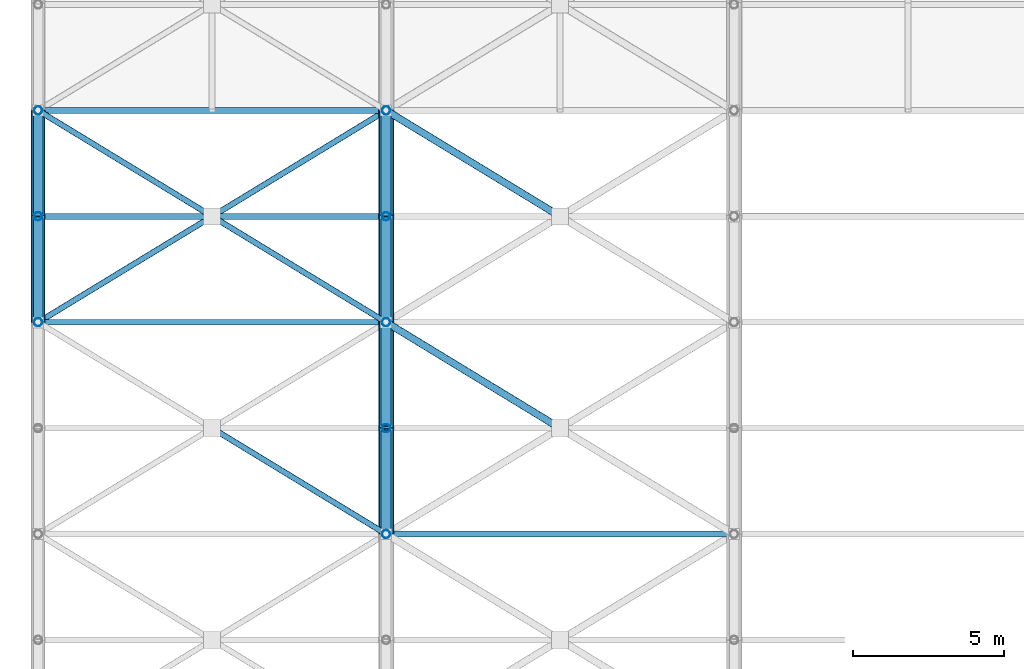
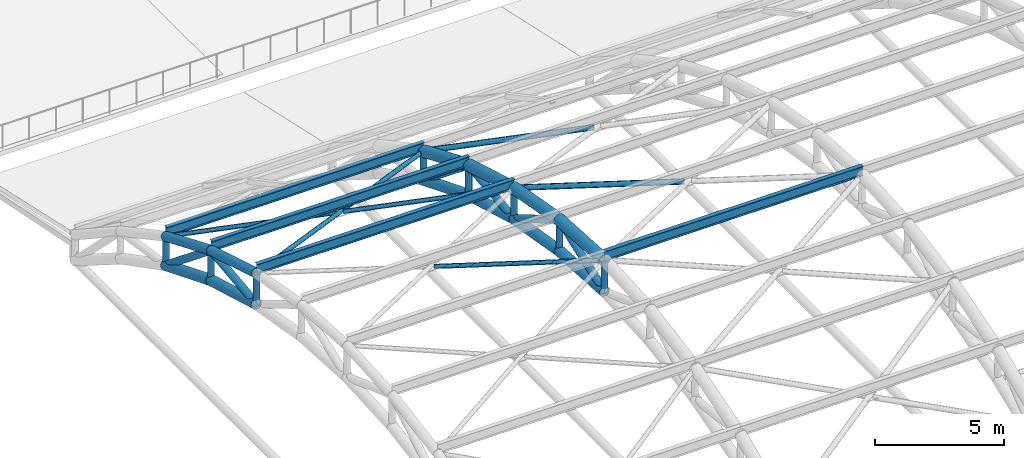
# One storey, part 16 of 154: 36 members.
"""IFC4 building model written with IfcOpenShell, lengths in metres."""

from ifc_helpers import new_model, si_unit, direction, frame, origin, origin_2d, place, context, subcontext, project, spatial, hollow_circle, i_section, extrude, material, material_profile, profile_set, type_object, element, save


model = new_model("IFC4")

# Units and contexts
model_context = context("Model", 3, precision=1e-05, world=origin(), true_north=direction((0.0, 1.0)))
body_context = subcontext(model_context, "Body", "Model", "MODEL_VIEW")
ifc_project = project(units=[si_unit("LENGTHUNIT", "METRE"), si_unit("AREAUNIT", "SQUARE_METRE"), si_unit("VOLUMEUNIT", "CUBIC_METRE"), si_unit("PLANEANGLEUNIT", "RADIAN"), si_unit("MASSUNIT", "GRAM", prefix="KILO")], contexts=[model_context])

# Site, building, storey
site_placement = place(None, origin())
site = spatial("IfcSite", under=ifc_project, at=site_placement, CompositionType="ELEMENT")
building_placement = place(site_placement, origin())
building = spatial("IfcBuilding", under=site, at=building_placement, Name="Ologun Quay Terminus", CompositionType="ELEMENT")
storey_placement = place(building_placement, frame((0.0, 0.0, 13.800048828125)))
storey = spatial("IfcBuildingStorey", under=building, at=storey_placement, Name="L03", CompositionType="ELEMENT", Elevation=13.800048828125)

# Members
ifc_material_1 = material(Name="Steel S355", Category="steel")
ifc_material_profile_1 = material_profile(ifc_material_1, hollow_circle(Radius=0.136474609375, WallThickness=0.010009765625, at=origin_2d()), Name="CHS 273x10")
ifc_profile_set_1 = profile_set([ifc_material_profile_1], Name="Steel S355")
member_type_1 = type_object("IfcMemberType", Name="Arch Truss Vertical Post CHS273", PredefinedType="STRUT", material=ifc_profile_set_1)
member_1_placement = place(storey_placement, frame((0.0, 64.0, 6.435546875), z_axis=(0.0, 0.0, 1.0), x_axis=(1.0, 0.0, 0.0)))
element("IfcMember", 1, at=member_1_placement, inside=storey, type_object=member_type_1, Name="AW2 Arch Web Post 1-N8", PredefinedType="STRUT", context=body_context, shape_type="SweptSolid", body=[
    extrude(hollow_circle(Radius=0.136474609375, WallThickness=0.010009765625, at=origin_2d()), origin(), (0.0, 0.0, 1.0), 1.44873046875),
])
member_2_placement = place(storey_placement, frame((0.0, 67.5, 5.429931640625), z_axis=(0.0, 0.0, 1.0), x_axis=(1.0, 0.0, 0.0)))
element("IfcMember", 2, at=member_2_placement, inside=storey, type_object=member_type_1, Name="AW2 Arch Web Post 1-N9", PredefinedType="STRUT", context=body_context, shape_type="SweptSolid", body=[
    extrude(hollow_circle(Radius=0.136474609375, WallThickness=0.010009765625, at=origin_2d()), origin(), (0.0, 0.0, 1.0), 1.409912109375),
])
member_3_placement = place(storey_placement, frame((0.0, 71.0, 4.022216796875), z_axis=(0.0, 0.0, 1.0), x_axis=(1.0, 0.0, 0.0)))
element("IfcMember", 3, at=member_3_placement, inside=storey, type_object=member_type_1, Name="AW2 Arch Web Post 1-N10", PredefinedType="STRUT", context=body_context, shape_type="SweptSolid", body=[
    extrude(hollow_circle(Radius=0.136474609375, WallThickness=0.010009765625, at=origin_2d()), origin(), (0.0, 0.0, 1.0), 1.35546875),
])
member_4_placement = place(storey_placement, frame((11.5, 57.0, 7.239990234375), z_axis=(0.0, 0.0, 1.0), x_axis=(1.0, 0.0, 0.0)))
element("IfcMember", 4, at=member_4_placement, inside=storey, type_object=member_type_1, Name="AW2 Arch Web Post 2-N6", PredefinedType="STRUT", context=body_context, shape_type="SweptSolid", body=[
    extrude(hollow_circle(Radius=0.136474609375, WallThickness=0.010009765625, at=origin_2d()), origin(), (0.0, 0.0, 1.0), 1.47998046875),
])
member_5_placement = place(storey_placement, frame((11.5, 60.5, 7.038818359375), z_axis=(0.0, 0.0, 1.0), x_axis=(1.0, 0.0, 0.0)))
element("IfcMember", 5, at=member_5_placement, inside=storey, type_object=member_type_1, Name="AW2 Arch Web Post 2-N7", PredefinedType="STRUT", context=body_context, shape_type="SweptSolid", body=[
    extrude(hollow_circle(Radius=0.136474609375, WallThickness=0.010009765625, at=origin_2d()), origin(), (0.0, 0.0, 1.0), 1.47216796875),
])
member_6_placement = place(storey_placement, frame((11.5, 64.0, 6.435546875), z_axis=(0.0, 0.0, 1.0), x_axis=(1.0, 0.0, 0.0)))
element("IfcMember", 6, at=member_6_placement, inside=storey, type_object=member_type_1, Name="AW2 Arch Web Post 2-N8", PredefinedType="STRUT", context=body_context, shape_type="SweptSolid", body=[
    extrude(hollow_circle(Radius=0.136474609375, WallThickness=0.010009765625, at=origin_2d()), origin(), (0.0, 0.0, 1.0), 1.44873046875),
])
member_7_placement = place(storey_placement, frame((11.5, 67.5, 5.429931640625), z_axis=(0.0, 0.0, 1.0), x_axis=(1.0, 0.0, 0.0)))
element("IfcMember", 7, at=member_7_placement, inside=storey, type_object=member_type_1, Name="AW2 Arch Web Post 2-N9", PredefinedType="STRUT", context=body_context, shape_type="SweptSolid", body=[
    extrude(hollow_circle(Radius=0.136474609375, WallThickness=0.010009765625, at=origin_2d()), origin(), (0.0, 0.0, 1.0), 1.409912109375),
])
member_8_placement = place(storey_placement, frame((11.5, 71.0, 4.022216796875), z_axis=(0.0, 0.0, 1.0), x_axis=(1.0, 0.0, 0.0)))
element("IfcMember", 8, at=member_8_placement, inside=storey, type_object=member_type_1, Name="AW2 Arch Web Post 2-N10", PredefinedType="STRUT", context=body_context, shape_type="SweptSolid", body=[
    extrude(hollow_circle(Radius=0.136474609375, WallThickness=0.010009765625, at=origin_2d()), origin(), (0.0, 0.0, 1.0), 1.35546875),
])
ifc_material_2 = material(Name="Steel S355", Category="steel")
ifc_material_profile_2 = material_profile(ifc_material_2, hollow_circle(Radius=0.161865234375, WallThickness=0.010009765625, at=origin_2d()), Name="CHS 323.9x10")
ifc_profile_set_2 = profile_set([ifc_material_profile_2], Name="Steel S355")
member_type_2 = type_object("IfcMemberType", Name="Arch Truss Web Diagonal CHS323", PredefinedType="BRACE", material=ifc_profile_set_2)
member_9_placement = place(storey_placement, frame((0.0, 64.0, 6.435546875), z_axis=(0.0, 0.993394361, 0.114750353084), x_axis=(-1.0, 0.0, 0.0)))
element("IfcMember", 9, at=member_9_placement, inside=storey, type_object=member_type_2, Name="AW1 Arch Web Diagonal 1-P9", PredefinedType="BRACE", context=body_context, shape_type="SweptSolid", body=[
    extrude(hollow_circle(Radius=0.161865234375, WallThickness=0.010009765625, at=origin_2d()), origin(), (0.0, 0.0, 1.0), 3.523193359375),
])
member_10_placement = place(storey_placement, frame((0.0, 67.5, 6.83984375), z_axis=(0.0, 0.77895148125, -0.627084196785), x_axis=(-1.0, 0.0, 0.0)))
element("IfcMember", 10, at=member_10_placement, inside=storey, type_object=member_type_2, Name="AW1 Arch Web Diagonal 1-P10", PredefinedType="BRACE", context=body_context, shape_type="SweptSolid", body=[
    extrude(hollow_circle(Radius=0.161865234375, WallThickness=0.010009765625, at=origin_2d()), origin(), (0.0, 0.0, 1.0), 4.4931640625),
])
member_11_placement = place(storey_placement, frame((11.5, 57.0, 7.239990234375), z_axis=(0.0, 0.939942650142, 0.34133241048), x_axis=(-1.0, 0.0, 0.0)))
element("IfcMember", 11, at=member_11_placement, inside=storey, type_object=member_type_2, Name="AW1 Arch Web Diagonal 2-P7", PredefinedType="BRACE", context=body_context, shape_type="SweptSolid", body=[
    extrude(hollow_circle(Radius=0.161865234375, WallThickness=0.010009765625, at=origin_2d()), origin(), (0.0, 0.0, 1.0), 3.7236328125),
])
member_12_placement = place(storey_placement, frame((11.5, 60.5, 8.510986328125), z_axis=(0.0, 0.860144332958, -0.510050709715), x_axis=(-1.0, 0.0, 0.0)))
element("IfcMember", 12, at=member_12_placement, inside=storey, type_object=member_type_2, Name="AW1 Arch Web Diagonal 2-P8", PredefinedType="BRACE", context=body_context, shape_type="SweptSolid", body=[
    extrude(hollow_circle(Radius=0.161865234375, WallThickness=0.010009765625, at=origin_2d()), origin(), (0.0, 0.0, 1.0), 4.069091796875),
])
member_13_placement = place(storey_placement, frame((11.5, 64.0, 6.435546875), z_axis=(0.0, 0.993394361, 0.114750353084), x_axis=(-1.0, 0.0, 0.0)))
element("IfcMember", 13, at=member_13_placement, inside=storey, type_object=member_type_2, Name="AW1 Arch Web Diagonal 2-P9", PredefinedType="BRACE", context=body_context, shape_type="SweptSolid", body=[
    extrude(hollow_circle(Radius=0.161865234375, WallThickness=0.010009765625, at=origin_2d()), origin(), (0.0, 0.0, 1.0), 3.523193359375),
])
member_14_placement = place(storey_placement, frame((11.5, 67.5, 6.83984375), z_axis=(0.0, 0.77895148125, -0.627084196785), x_axis=(-1.0, 0.0, 0.0)))
element("IfcMember", 14, at=member_14_placement, inside=storey, type_object=member_type_2, Name="AW1 Arch Web Diagonal 2-P10", PredefinedType="BRACE", context=body_context, shape_type="SweptSolid", body=[
    extrude(hollow_circle(Radius=0.161865234375, WallThickness=0.010009765625, at=origin_2d()), origin(), (0.0, 0.0, 1.0), 4.4931640625),
])
ifc_material_3 = material(Name="Steel S355", Category="steel")
ifc_material_profile_3 = material_profile(ifc_material_3, hollow_circle(Radius=0.203125, WallThickness=0.012451171875, at=origin_2d()), Name="CHS 406.4x12.5")
ifc_profile_set_3 = profile_set([ifc_material_profile_3], Name="Steel S355")
member_type_3 = type_object("IfcMemberType", Name="Gable End Arch Chord CHS406", PredefinedType="CHORD", material=ifc_profile_set_3)
member_15_placement = place(storey_placement, frame((0.0, 64.0, 7.88427734375), z_axis=(0.0, 0.958244712677, -0.285949419701), x_axis=(-1.0, 0.0, 0.0)))
element("IfcMember", 15, at=member_15_placement, inside=storey, type_object=member_type_3, Name="Arch Top Chord 1-P9", PredefinedType="CHORD", context=body_context, shape_type="SweptSolid", body=[
    extrude(hollow_circle(Radius=0.203125, WallThickness=0.012451171875, at=origin_2d()), origin(), (0.0, 0.0, 1.0), 3.652587890625),
])
member_16_placement = place(storey_placement, frame((0.0, 67.5, 6.83984375), z_axis=(0.0, 0.922718523726, -0.385474416755), x_axis=(-1.0, 0.0, 0.0)))
element("IfcMember", 16, at=member_16_placement, inside=storey, type_object=member_type_3, Name="Arch Top Chord 1-P10", PredefinedType="CHORD", context=body_context, shape_type="SweptSolid", body=[
    extrude(hollow_circle(Radius=0.203125, WallThickness=0.012451171875, at=origin_2d()), origin(), (0.0, 0.0, 1.0), 3.793212890625),
])
ifc_material_4 = material(Name="Steel S355", Category="steel")
ifc_material_profile_4 = material_profile(ifc_material_4, hollow_circle(Radius=0.096923828125, WallThickness=0.00634765625, at=origin_2d()), Name="CHS 193.7x6.3")
ifc_profile_set_4 = profile_set([ifc_material_profile_4], Name="Steel S355")
member_type_4 = type_object("IfcMemberType", Name="Gable Portal Wind Brace CHS193", PredefinedType="BRACE", material=ifc_profile_set_4)
member_17_placement = place(storey_placement, frame((5.869384765625, 60.42724609375, 8.310791015625), z_axis=(0.852563238847, -0.518938678703, 0.061956206405), x_axis=(0.51993754691, 0.854204277274, 0.0)))
element("IfcMember", 17, at=member_17_placement, inside=storey, type_object=member_type_4, Name="Roof Wind Brace B2 B1-K6", PredefinedType="BRACE", context=body_context, shape_type="SweptSolid", body=[
    extrude(hollow_circle(Radius=0.096923828125, WallThickness=0.00634765625, at=origin_2d()), origin(), (0.0, 0.0, 1.0), 6.604248046875),
])
member_18_placement = place(storey_placement, frame((0.0, 64.0, 7.88427734375), z_axis=(0.83976735311, 0.511162736676, -0.18303947466), x_axis=(-0.519946946896, 0.854198555614, 0.0)))
element("IfcMember", 18, at=member_18_placement, inside=storey, type_object=member_type_4, Name="Roof Wind Brace A B1-K8", PredefinedType="BRACE", context=body_context, shape_type="SweptSolid", body=[
    extrude(hollow_circle(Radius=0.096923828125, WallThickness=0.00634765625, at=origin_2d()), origin(), (0.0, 0.0, 1.0), 13.6943359375),
])
for number, where, z_axis, x_axis, name in (
    (19, (0.0, 71.0, 5.377685546875), (0.839758111636, -0.51117135508, 0.183057804223), (0.519957518446, 0.854192120668, 0.0), "Roof Wind Brace B1 B1-K8"),
    (20, (5.86767578125, 67.428466796875, 6.65673828125), (0.839763706767, -0.511174760907, 0.183022623217), (0.519957518446, 0.854192120668, 0.0), "Roof Wind Brace B2 B1-K8"),
):
    element("IfcMember", number, at=place(storey_placement, frame(where, z_axis=z_axis, x_axis=x_axis)), inside=storey, type_object=member_type_4, Name=name, PredefinedType="BRACE", context=body_context, shape_type="SweptSolid", body=[
        extrude(hollow_circle(Radius=0.096923828125, WallThickness=0.00634765625, at=origin_2d()), origin(), (0.0, 0.0, 1.0), 6.70703125),
    ])
ifc_material_5 = material(Name="Steel S355", Category="steel")
ifc_material_profile_5 = material_profile(ifc_material_5, hollow_circle(Radius=0.228515625, WallThickness=0.01611328125, at=origin_2d()), Name="CHS 457x16")
ifc_profile_set_5 = profile_set([ifc_material_profile_5], Name="Steel S355")
member_type_5 = type_object("IfcMemberType", Name="Parabolic Arch Bottom Chord CHS457", PredefinedType="CHORD", material=ifc_profile_set_5)
member_19_placement = place(storey_placement, frame((0.0, 64.0, 6.435546875), z_axis=(0.0, 0.961115578425, -0.276146419331), x_axis=(-1.0, 0.0, 0.0)))
element("IfcMember", 21, at=member_19_placement, inside=storey, type_object=member_type_5, Name="AC2 Arch Bottom Chord 1-P9", PredefinedType="CHORD", context=body_context, shape_type="SweptSolid", body=[
    extrude(hollow_circle(Radius=0.228515625, WallThickness=0.01611328125, at=origin_2d()), origin(), (0.0, 0.0, 1.0), 3.6416015625),
])
member_20_placement = place(storey_placement, frame((0.0, 67.5, 5.429931640625), z_axis=(0.0, 0.92776983497, -0.373152962363), x_axis=(-1.0, 0.0, 0.0)))
element("IfcMember", 22, at=member_20_placement, inside=storey, type_object=member_type_5, Name="AC2 Arch Bottom Chord 1-P10", PredefinedType="CHORD", context=body_context, shape_type="SweptSolid", body=[
    extrude(hollow_circle(Radius=0.228515625, WallThickness=0.01611328125, at=origin_2d()), origin(), (0.0, 0.0, 1.0), 3.7724609375),
])
member_21_placement = place(storey_placement, frame((11.5, 57.0, 7.239990234375), z_axis=(0.0, 0.998352239869, -0.057382969144), x_axis=(-1.0, 0.0, 0.0)))
element("IfcMember", 23, at=member_21_placement, inside=storey, type_object=member_type_5, Name="AC2 Arch Bottom Chord 2-P7", PredefinedType="CHORD", context=body_context, shape_type="SweptSolid", body=[
    extrude(hollow_circle(Radius=0.228515625, WallThickness=0.01611328125, at=origin_2d()), origin(), (0.0, 0.0, 1.0), 3.505859375),
])
member_22_placement = place(storey_placement, frame((11.5, 60.5, 7.038818359375), z_axis=(0.0, 0.985468449185, -0.16985857547), x_axis=(-1.0, 0.0, 0.0)))
element("IfcMember", 24, at=member_22_placement, inside=storey, type_object=member_type_5, Name="AC2 Arch Bottom Chord 2-P8", PredefinedType="CHORD", context=body_context, shape_type="SweptSolid", body=[
    extrude(hollow_circle(Radius=0.228515625, WallThickness=0.01611328125, at=origin_2d()), origin(), (0.0, 0.0, 1.0), 3.551513671875),
])
member_23_placement = place(storey_placement, frame((11.5, 64.0, 6.435546875), z_axis=(0.0, 0.961115578425, -0.276146419331), x_axis=(-1.0, 0.0, 0.0)))
element("IfcMember", 25, at=member_23_placement, inside=storey, type_object=member_type_5, Name="AC2 Arch Bottom Chord 2-P9", PredefinedType="CHORD", context=body_context, shape_type="SweptSolid", body=[
    extrude(hollow_circle(Radius=0.228515625, WallThickness=0.01611328125, at=origin_2d()), origin(), (0.0, 0.0, 1.0), 3.6416015625),
])
member_24_placement = place(storey_placement, frame((11.5, 67.5, 5.429931640625), z_axis=(0.0, 0.92776983497, -0.373152962363), x_axis=(-1.0, 0.0, 0.0)))
element("IfcMember", 26, at=member_24_placement, inside=storey, type_object=member_type_5, Name="AC2 Arch Bottom Chord 2-P10", PredefinedType="CHORD", context=body_context, shape_type="SweptSolid", body=[
    extrude(hollow_circle(Radius=0.228515625, WallThickness=0.01611328125, at=origin_2d()), origin(), (0.0, 0.0, 1.0), 3.7724609375),
])
ifc_material_6 = material(Name="Steel S355", Category="steel")
ifc_material_profile_6 = material_profile(ifc_material_6, hollow_circle(Radius=0.25390625, WallThickness=0.01611328125, at=origin_2d()), Name="CHS 508x16")
ifc_profile_set_6 = profile_set([ifc_material_profile_6], Name="Steel S355")
member_type_6 = type_object("IfcMemberType", Name="Parabolic Arch Top Chord CHS508", PredefinedType="CHORD", material=ifc_profile_set_6)
member_25_placement = place(storey_placement, frame((11.5, 57.0, 8.719970703125), z_axis=(0.0, 0.998222121157, -0.0596036646), x_axis=(-1.0, 0.0, 0.0)))
element("IfcMember", 27, at=member_25_placement, inside=storey, type_object=member_type_6, Name="Arch Top Chord 2-P7", PredefinedType="CHORD", context=body_context, shape_type="SweptSolid", body=[
    extrude(hollow_circle(Radius=0.25390625, WallThickness=0.01611328125, at=origin_2d()), origin(), (0.0, 0.0, 1.0), 3.50634765625),
])
member_26_placement = place(storey_placement, frame((11.5, 60.5, 8.510986328125), z_axis=(0.0, 0.984344289591, -0.176256402859), x_axis=(-1.0, 0.0, 0.0)))
element("IfcMember", 28, at=member_26_placement, inside=storey, type_object=member_type_6, Name="Arch Top Chord 2-P8", PredefinedType="CHORD", context=body_context, shape_type="SweptSolid", body=[
    extrude(hollow_circle(Radius=0.25390625, WallThickness=0.01611328125, at=origin_2d()), origin(), (0.0, 0.0, 1.0), 3.5556640625),
])
member_27_placement = place(storey_placement, frame((11.5, 64.0, 7.88427734375), z_axis=(0.0, 0.958244712677, -0.285949419701), x_axis=(-1.0, 0.0, 0.0)))
element("IfcMember", 29, at=member_27_placement, inside=storey, type_object=member_type_6, Name="Arch Top Chord 2-P9", PredefinedType="CHORD", context=body_context, shape_type="SweptSolid", body=[
    extrude(hollow_circle(Radius=0.25390625, WallThickness=0.01611328125, at=origin_2d()), origin(), (0.0, 0.0, 1.0), 3.652587890625),
])
member_28_placement = place(storey_placement, frame((11.5, 67.5, 6.83984375), z_axis=(0.0, 0.922718523726, -0.385474416755), x_axis=(-1.0, 0.0, 0.0)))
element("IfcMember", 30, at=member_28_placement, inside=storey, type_object=member_type_6, Name="Arch Top Chord 2-P10", PredefinedType="CHORD", context=body_context, shape_type="SweptSolid", body=[
    extrude(hollow_circle(Radius=0.25390625, WallThickness=0.01611328125, at=origin_2d()), origin(), (0.0, 0.0, 1.0), 3.793212890625),
])
ifc_material_7 = material(Name="Steel S355", Category="steel")
ifc_material_profile_7 = material_profile(ifc_material_7, hollow_circle(Radius=0.122314453125, WallThickness=0.008056640625, at=origin_2d()), Name="CHS 244.5x8")
ifc_profile_set_7 = profile_set([ifc_material_profile_7], Name="Steel S355")
member_type_7 = type_object("IfcMemberType", Name="Roof Plan Wind Brace Primary CHS244", PredefinedType="BRACE", material=ifc_profile_set_7)
member_29_placement = place(storey_placement, frame((11.5, 64.0, 7.88427734375), z_axis=(0.852563238847, -0.518938678703, 0.061956206405), x_axis=(0.51993754691, 0.854204277274, 0.0)))
element("IfcMember", 31, at=member_29_placement, inside=storey, type_object=member_type_7, Name="Roof Wind Brace B1 B2-K6", PredefinedType="BRACE", context=body_context, shape_type="SweptSolid", body=[
    extrude(hollow_circle(Radius=0.122314453125, WallThickness=0.008056640625, at=origin_2d()), origin(), (0.0, 0.0, 1.0), 6.604248046875),
])
member_30_placement = place(storey_placement, frame((11.5, 71.0, 5.377685546875), z_axis=(0.839758111636, -0.51117135508, 0.183057804223), x_axis=(0.519957518446, 0.854192120668, 0.0)))
element("IfcMember", 32, at=member_30_placement, inside=storey, type_object=member_type_7, Name="Roof Wind Brace B1 B2-K8", PredefinedType="BRACE", context=body_context, shape_type="SweptSolid", body=[
    extrude(hollow_circle(Radius=0.122314453125, WallThickness=0.008056640625, at=origin_2d()), origin(), (0.0, 0.0, 1.0), 6.70703125),
])
ifc_material_8 = material(Name="Steel S355", Category="steel")
ifc_material_profile_8 = material_profile(ifc_material_8, i_section(OverallWidth=0.1904296875, OverallDepth=0.45703125, WebThickness=0.009033203125, FlangeThickness=0.014404296875, at=origin_2d()), Name="UKB 457x191x74")
ifc_profile_set_8 = profile_set([ifc_material_profile_8], Name="Steel S355")
member_type_8 = type_object("IfcMemberType", Name="Train Shed Primary Roof Purlin UKB457", PredefinedType="PURLIN", material=ifc_profile_set_8)
for number, where, z_axis, x_axis, name in (
    (33, (0.0, 64.0, 8.11279296875), (1.0, 0.0, 0.0), (0.0, 1.0, 0.0), "PR1 Roof Purlin B1-N8"),
    (34, (0.0, 67.5, 7.068359375), (1.0, 0.0, 0.0), (0.0, 1.0, 0.0), "PR1 Roof Purlin B1-N9"),
    (35, (0.0, 71.0, 5.606201171875), (1.0, 0.0, 0.0), (0.0, 1.0, 0.0), "PR1 Roof Purlin B1-N10"),
    (36, (11.5, 57.0, 8.948486328125), (1.0, 0.0, 0.0), (0.0, 1.0, 0.0), "PR1 Roof Purlin B2-N6"),
):
    element("IfcMember", number, at=place(storey_placement, frame(where, z_axis=z_axis, x_axis=x_axis)), inside=storey, type_object=member_type_8, Name=name, PredefinedType="PURLIN", context=body_context, shape_type="SweptSolid", body=[
        extrude(i_section(OverallWidth=0.1904296875, OverallDepth=0.45703125, WebThickness=0.009033203125, FlangeThickness=0.014404296875, at=origin_2d()), origin(), (0.0, 0.0, 1.0), 11.5),
    ])

save(model, "model.ifc")
